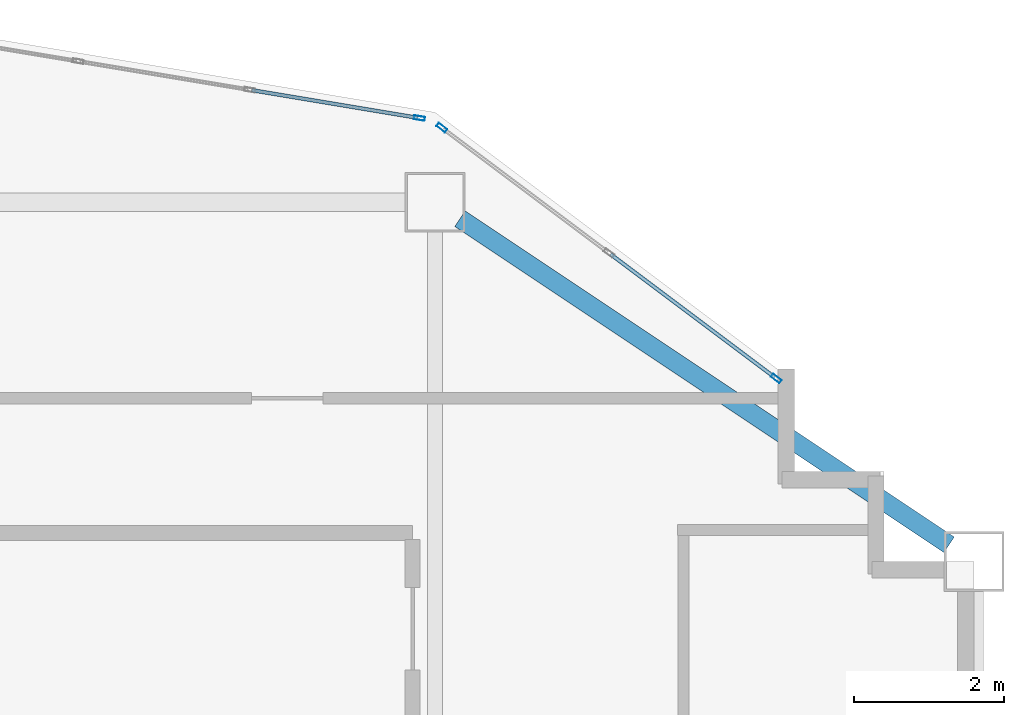
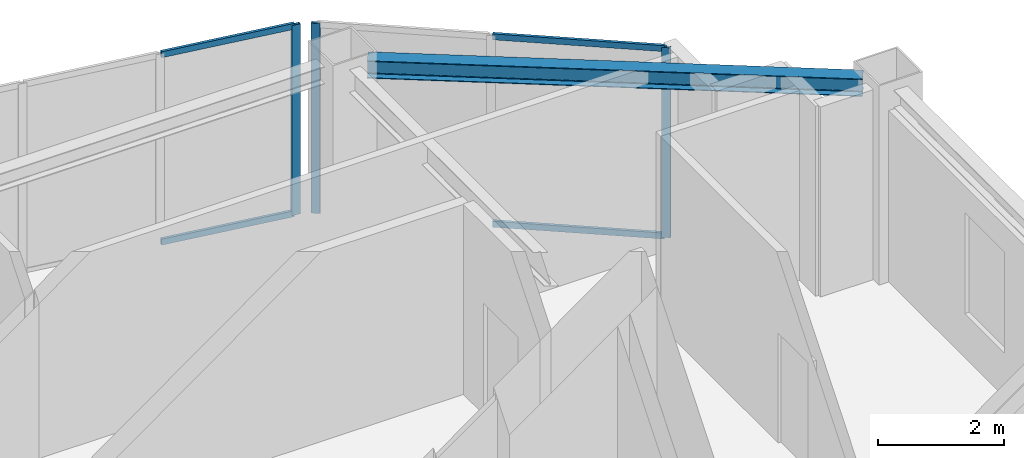
# One storey, part 3 of 9: 7 members, 1 beam, 2 elements without a shape of their own.
"""IFC4 building model written with IfcOpenShell, lengths in metres."""

from ifc_helpers import new_model, si_unit, direction, frame, origin, origin_2d, place, context, subcontext, project, spatial, hollow_rectangle, i_section, extrude, material, layer, layer_set, material_profile, profile_set, type_object, element, aggregate, save


model = new_model("IFC4")

# Units and contexts
model_context = context("Model", 3, precision=1e-05, world=origin(), true_north=direction((0.0, 1.0)))
body_context = subcontext(model_context, "Body", "Model", "MODEL_VIEW")
ifc_project = project(units=[si_unit("LENGTHUNIT", "METRE"), si_unit("AREAUNIT", "SQUARE_METRE"), si_unit("VOLUMEUNIT", "CUBIC_METRE"), si_unit("PLANEANGLEUNIT", "RADIAN"), si_unit("MASSUNIT", "GRAM", prefix="KILO")], contexts=[model_context])

# Site, building, storey
site_placement = place(None, origin())
site = spatial("IfcSite", under=ifc_project, at=site_placement, CompositionType="ELEMENT")
building_placement = place(site_placement, origin())
building = spatial("IfcBuilding", under=site, at=building_placement, Name="Haolan Belvedere Tower", CompositionType="ELEMENT")
storey_placement = place(building_placement, frame((0.0, 0.0, 242.89990234375)))
storey = spatial("IfcBuildingStorey", under=building, at=storey_placement, Name="L61", CompositionType="ELEMENT", Elevation=242.89990234375)

# Beam
ifc_material_1 = material(Name="Steel Q355B", Category="steel")
ifc_material_profile_1 = material_profile(ifc_material_1, i_section(OverallWidth=0.25, OverallDepth=0.340087890625, WebThickness=0.009033203125, FlangeThickness=0.013916015625, FilletRadius=0.02001953125, at=origin_2d()), Name="Steel Q355B")
ifc_profile_set_1 = profile_set([ifc_material_profile_1], Name="Steel Q355B")
beam_type = type_object("IfcBeamType", Name="BM-HM340x250x9x14", PredefinedType="SPANDREL", material=ifc_profile_set_1)
beam_placement = place(storey_placement, frame((45.932861328125, 50.17822265625, 3.5), z_axis=(0.832040729016, -0.55471454394, 0.0), x_axis=(0.55471454394, 0.832040729016, 0.0)))
element("IfcBeam", 1, at=beam_placement, inside=storey, type_object=beam_type, Name="L61 spandrel girder MC-T3-N2-MC-T3-NE", PredefinedType="SPANDREL", context=body_context, shape_type="SweptSolid", body=[
    extrude(i_section(OverallWidth=0.25, OverallDepth=0.340087890625, WebThickness=0.009033203125, FlangeThickness=0.013916015625, FilletRadius=0.02001953125, at=origin_2d()), origin(), (0.0, 0.0, 1.0), 7.853515625),
])

# Curtain wall, members
ifc_material_2 = material(Name="Anodised champagne-silver aluminium 6063-T6 and Low-E glass", Category="aluminium")
ifc_layer = layer(ifc_material_2, 0.14501953125, Name="Anodised champagne-silver aluminium 6063-T6 and Low-E glass")
ifc_layer_set = layer_set([ifc_layer], Name="Anodised champagne-silver aluminium 6063-T6 and Low-E glass")
curtain_wall_type = type_object("IfcCurtainWallType", Name="CW-SYS-05", PredefinedType="NOTDEFINED", material=ifc_layer_set)
curtain_wall_1_placement = place(storey_placement, origin())
curtain_wall_1 = element("IfcCurtainWall", 2, at=curtain_wall_1_placement, inside=storey, type_object=curtain_wall_type, Name="L61 CW-SYS-05 ribbon curtain wall 8.1", PredefinedType="NOTDEFINED")
ifc_material_3 = material(Name="Anodised aluminium 6063-T6", Category="aluminium")
ifc_material_profile_2 = material_profile(ifc_material_3, hollow_rectangle(XDim=0.053955078125, YDim=0.14501953125, WallThickness=0.00390625, at=origin_2d()), Name="Anodised aluminium 6063-T6")
ifc_profile_set_2 = profile_set([ifc_material_profile_2], Name="Anodised aluminium 6063-T6")
member_type_1 = type_object("IfcMemberType", Name="CW-SYS-05-MUL", PredefinedType="MULLION", material=ifc_profile_set_2)
member_1_placement = place(storey_placement, frame((50.156494140625, 48.045166015625, 0.0), z_axis=(0.0, 0.0, 1.0), x_axis=(-0.600002837806, -0.799997871638, 0.0)))
member_1 = element("IfcMember", 3, at=member_1_placement, type_object=member_type_1, Name="CW-05 mullion 1", PredefinedType="MULLION", context=body_context, shape_type="SweptSolid", body=[
    extrude(hollow_rectangle(XDim=0.053955078125, YDim=0.14501953125, WallThickness=0.00390625, at=origin_2d()), origin(), (0.0, 0.0, 1.0), 3.670166015625),
])
member_2_placement = place(storey_placement, frame((45.689208984375, 51.395751953125, 0.0), z_axis=(0.0, 0.0, 1.0), x_axis=(-0.600002837806, -0.799997871638, 0.0)))
member_2 = element("IfcMember", 4, at=member_2_placement, type_object=member_type_1, Name="CW-05 mullion 3", PredefinedType="MULLION", context=body_context, shape_type="SweptSolid", body=[
    extrude(hollow_rectangle(XDim=0.053955078125, YDim=0.14501953125, WallThickness=0.00390625, at=origin_2d()), origin(), (0.0, 0.0, 1.0), 3.670166015625),
])

# Curtain wall, member
curtain_wall_2_placement = place(storey_placement, origin())
curtain_wall_2 = element("IfcCurtainWall", 5, at=curtain_wall_2_placement, inside=storey, type_object=curtain_wall_type, Name="L61 CW-SYS-05 ribbon curtain wall 9.1", PredefinedType="NOTDEFINED")
member_3_placement = place(storey_placement, frame((45.390869140625, 51.5234375, 0.0), z_axis=(0.0, 0.0, 1.0), x_axis=(-0.164405962825, -0.98639276122, 0.0)))
member_3 = element("IfcMember", 6, at=member_3_placement, type_object=member_type_1, Name="CW-05 mullion 1", PredefinedType="MULLION", context=body_context, shape_type="SweptSolid", body=[
    extrude(hollow_rectangle(XDim=0.053955078125, YDim=0.14501953125, WallThickness=0.00390625, at=origin_2d()), origin(), (0.0, 0.0, 1.0), 3.670166015625),
])

# Member
ifc_material_profile_3 = material_profile(ifc_material_3, hollow_rectangle(XDim=0.050048828125, YDim=0.114990234375, WallThickness=0.00390625, at=origin_2d()), Name="Anodised aluminium 6063-T6")
ifc_profile_set_3 = profile_set([ifc_material_profile_3], Name="Anodised aluminium 6063-T6")
member_type_2 = type_object("IfcMemberType", Name="CW-SYS-05-TRN", PredefinedType="USERDEFINED", material=ifc_profile_set_3)
member_4_placement = place(storey_placement, frame((50.134765625, 48.061279296875, 0.025146484375), z_axis=(-0.799957200433, 0.60005706185, 0.0), x_axis=(-0.60005706185, -0.799957200433, 0.0)))
member_4 = element("IfcMember", 7, at=member_4_placement, type_object=member_type_2, Name="CW-05 transom 1.1", ObjectType="TRANSOM", PredefinedType="USERDEFINED", context=body_context, shape_type="SweptSolid", body=[
    extrude(hollow_rectangle(XDim=0.050048828125, YDim=0.114990234375, WallThickness=0.00390625, at=origin_2d()), origin(), (0.0, 0.0, 1.0), 2.73828125),
])

member_5_placement = place(storey_placement, frame((50.134765625, 48.061279296875, 3.64501953125), z_axis=(-0.799957200433, 0.60005706185, 0.0), x_axis=(-0.60005706185, -0.799957200433, 0.0)))
member_5 = element("IfcMember", 8, at=member_5_placement, type_object=member_type_2, Name="CW-05 transom 1.2", ObjectType="TRANSOM", PredefinedType="USERDEFINED", context=body_context, shape_type="SweptSolid", body=[
    extrude(hollow_rectangle(XDim=0.050048828125, YDim=0.114990234375, WallThickness=0.00390625, at=origin_2d()), origin(), (0.0, 0.0, 1.0), 2.73828125),
])

aggregate(curtain_wall_1, [member_1, member_2, member_4, member_5])

member_6_placement = place(storey_placement, frame((45.364013671875, 51.52783203125, 0.025146484375), z_axis=(-0.986390982779, 0.164416632651, 0.0), x_axis=(-0.164416632651, -0.986390982779, 0.0)))
member_6 = element("IfcMember", 9, at=member_6_placement, type_object=member_type_2, Name="CW-05 transom 1.1", ObjectType="TRANSOM", PredefinedType="USERDEFINED", context=body_context, shape_type="SweptSolid", body=[
    extrude(hollow_rectangle(XDim=0.050048828125, YDim=0.114990234375, WallThickness=0.00390625, at=origin_2d()), origin(), (0.0, 0.0, 1.0), 2.24365234375),
])

member_7_placement = place(storey_placement, frame((45.364013671875, 51.52783203125, 3.64501953125), z_axis=(-0.986390982779, 0.164416632651, 0.0), x_axis=(-0.164416632651, -0.986390982779, 0.0)))
member_7 = element("IfcMember", 10, at=member_7_placement, type_object=member_type_2, Name="CW-05 transom 1.2", ObjectType="TRANSOM", PredefinedType="USERDEFINED", context=body_context, shape_type="SweptSolid", body=[
    extrude(hollow_rectangle(XDim=0.050048828125, YDim=0.114990234375, WallThickness=0.00390625, at=origin_2d()), origin(), (0.0, 0.0, 1.0), 2.24365234375),
])

aggregate(curtain_wall_2, [member_3, member_6, member_7])

save(model, "model.ifc")
